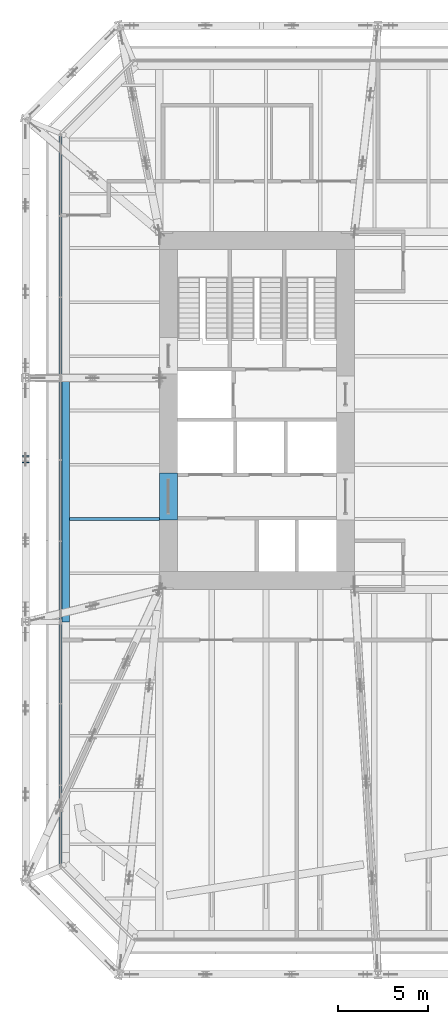
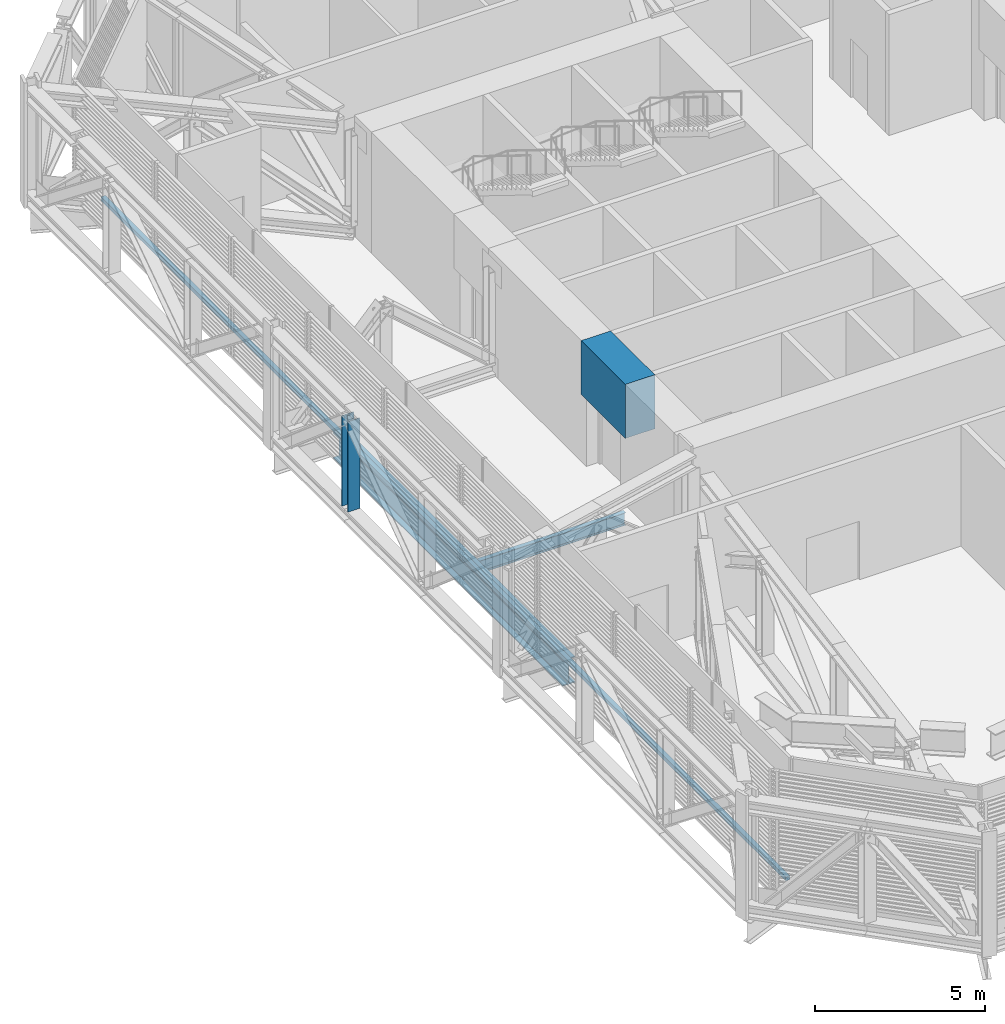
# One storey, part 7 of 31: 3 beams, 2 members, 1 element without a shape of its own.
"""IFC4 building model written with IfcOpenShell, lengths in metres."""

from ifc_helpers import new_model, si_unit, direction, frame, origin, origin_2d, place, context, subcontext, project, spatial, rectangle, i_section, extrude, material, layer, layer_set, material_profile, profile_set, type_object, element, aggregate, save


model = new_model("IFC4")

# Units and contexts
model_context = context("Model", 3, precision=1e-05, world=origin(), true_north=direction((0.0, 1.0)))
body_context = subcontext(model_context, "Body", "Model", "MODEL_VIEW")
ifc_project = project(units=[si_unit("LENGTHUNIT", "METRE"), si_unit("AREAUNIT", "SQUARE_METRE"), si_unit("VOLUMEUNIT", "CUBIC_METRE"), si_unit("PLANEANGLEUNIT", "RADIAN"), si_unit("MASSUNIT", "GRAM", prefix="KILO")], contexts=[model_context])

# Site, building, storey
site_placement = place(None, origin())
site = spatial("IfcSite", under=ifc_project, at=site_placement, CompositionType="ELEMENT")
building_placement = place(site_placement, origin())
building = spatial("IfcBuilding", under=site, at=building_placement, Name="Millrace Tower", CompositionType="ELEMENT")
storey_placement = place(building_placement, frame((0.0, 0.0, 120.39990234375)))
storey = spatial("IfcBuildingStorey", under=building, at=storey_placement, Name="L26", CompositionType="ELEMENT", Elevation=120.39990234375)

# Member
ifc_material_1 = material(Name="Steel ASTM A992 Grade 50", Category="steel")
ifc_material_profile_1 = material_profile(ifc_material_1, i_section(OverallWidth=0.398681640625, OverallDepth=0.385986328125, WebThickness=0.02099609375, FlangeThickness=0.033203125, FilletRadius=0.01513671875, at=origin_2d()))
ifc_profile_set_1 = profile_set([ifc_material_profile_1], Name="Steel ASTM A992 Grade 50")
member_type_1 = type_object("IfcMemberType", Name="Belt truss post W14x176", PredefinedType="POST", material=ifc_profile_set_1)
member_1_placement = place(storey_placement, frame((-22.300048828125, -2.699951171875, 0.498046875), z_axis=(0.0, 0.0, 1.0), x_axis=(1.0, 0.0, 0.0)))
element("IfcMember", 1, at=member_1_placement, inside=storey, type_object=member_type_1, Name="BLT-L26-R15-V01", PredefinedType="POST", context=body_context, shape_type="SweptSolid", body=[
    extrude(i_section(OverallWidth=0.398681640625, OverallDepth=0.385986328125, WebThickness=0.02099609375, FlangeThickness=0.033203125, FilletRadius=0.01513671875, at=origin_2d()), origin(), (0.0, 0.0, 1.0), 3.244140625),
])

# Curtain wall, member
ifc_material_2 = material(Name="Aluminium and glass", Category="aluminium")
ifc_layer = layer(ifc_material_2, 0.14990234375)
ifc_layer_set = layer_set([ifc_layer], Name="Aluminium and glass")
curtain_wall_type = type_object("IfcCurtainWallType", Name="CW-5 truss and plant storey louvred infill", PredefinedType="NOTDEFINED", material=ifc_layer_set)
curtain_wall_placement = place(storey_placement, origin())
curtain_wall = element("IfcCurtainWall", 2, at=curtain_wall_placement, inside=storey, type_object=curtain_wall_type, Name="Curtain wall B-F08 L26", PredefinedType="NOTDEFINED")
ifc_material_3 = material(Name="Aluminium", Category="aluminium")
ifc_material_profile_2 = material_profile(ifc_material_3, rectangle(XDim=0.14990234375, YDim=0.139892578125, at=origin_2d()))
ifc_profile_set_2 = profile_set([ifc_material_profile_2], Name="Aluminium")
member_type_2 = type_object("IfcMemberType", Name="CW-5 truss and plant storey louvred infill transom", PredefinedType="USERDEFINED", material=ifc_profile_set_2)
member_2_placement = place(storey_placement, frame((-20.375, 15.199951171875, 0.070068359375), z_axis=(0.0, -1.0, 0.0), x_axis=(1.0, 0.0, 0.0)))
member_2 = element("IfcMember", 3, at=member_2_placement, type_object=member_type_2, Name="CW5 transom B-F08.1", ObjectType="TRANSOM", PredefinedType="USERDEFINED", context=body_context, shape_type="SweptSolid", body=[
    extrude(rectangle(XDim=0.14990234375, YDim=0.139892578125, at=origin_2d()), origin(), (0.0, 0.0, 1.0), 40.300048828125),
])
aggregate(curtain_wall, [member_2])

# Beams
ifc_material_4 = material(Name="Concrete C80", Category="concrete")
ifc_material_profile_3 = material_profile(ifc_material_4, rectangle(XDim=1.0, YDim=1.93994140625, at=origin_2d()))
ifc_profile_set_3 = profile_set([ifc_material_profile_3], Name="Concrete C80")
beam_type_1 = type_object("IfcBeamType", Name="Coupling beam 1000 x 1940 Concrete C80, 2000 opening", PredefinedType="BEAM", material=ifc_profile_set_3)
beam_1_placement = place(storey_placement, frame((-14.39990234375, -6.050048828125, 3.3701171875), z_axis=(0.0, 1.0, 0.0), x_axis=(-1.0, 0.0, 0.0)))
element("IfcBeam", 4, at=beam_1_placement, inside=storey, type_object=beam_type_1, Name="Coupling beam W L26", PredefinedType="BEAM", context=body_context, shape_type="SweptSolid", body=[
    extrude(rectangle(XDim=1.0, YDim=1.93994140625, at=origin_2d()), origin(), (0.0, 0.0, 1.0), 2.60009765625),
])
ifc_material_5 = material(Name="Steel ASTM A992 Grade 50", Category="steel")
ifc_material_profile_4 = material_profile(ifc_material_5, i_section(OverallWidth=0.15234375, OverallDepth=0.449462890625, WebThickness=0.007568359375, FlangeThickness=0.0107421875, FilletRadius=0.01025390625, at=origin_2d()))
ifc_profile_set_4 = profile_set([ifc_material_profile_4], Name="Steel ASTM A992 Grade 50")
beam_type_2 = type_object("IfcBeamType", Name="Floor beam W18x35", PredefinedType="JOIST", material=ifc_profile_set_4)
beam_2_placement = place(storey_placement, frame((-19.87841796875, -6.0, -0.474609375), z_axis=(1.0, 0.0, 0.0), x_axis=(0.0, 1.0, 0.0)))
element("IfcBeam", 5, at=beam_2_placement, inside=storey, type_object=beam_type_2, Name="BM-B-L26-S1-S017", PredefinedType="JOIST", context=body_context, shape_type="SweptSolid", body=[
    extrude(i_section(OverallWidth=0.15234375, OverallDepth=0.449462890625, WebThickness=0.007568359375, FlangeThickness=0.0107421875, FilletRadius=0.01025390625, at=origin_2d()), origin(), (0.0, 0.0, 1.0), 4.978515625),
])
ifc_material_6 = material(Name="Steel ASTM A992 Grade 50", Category="steel")
ifc_material_profile_5 = material_profile(ifc_material_6, i_section(OverallWidth=0.421630859375, OverallDepth=0.937255859375, WebThickness=0.021240234375, FlangeThickness=0.03662109375, FilletRadius=0.024169921875, at=origin_2d()))
ifc_profile_set_5 = profile_set([ifc_material_profile_5], Name="Steel ASTM A992 Grade 50")
beam_type_3 = type_object("IfcBeamType", Name="Ring beam medium span W36x262", PredefinedType="SPANDREL", material=ifc_profile_set_5)
beam_3_placement = place(storey_placement, frame((-20.089111328125, -11.699951171875, -0.718505859375), z_axis=(0.0, 1.0, 0.0), x_axis=(-1.0, 0.0, 0.0)))
element("IfcBeam", 6, at=beam_3_placement, inside=storey, type_object=beam_type_3, Name="RNG-B-L26-S1-02", PredefinedType="SPANDREL", context=body_context, shape_type="SweptSolid", body=[
    extrude(i_section(OverallWidth=0.421630859375, OverallDepth=0.937255859375, WebThickness=0.021240234375, FlangeThickness=0.03662109375, FilletRadius=0.024169921875, at=origin_2d()), origin(), (0.0, 0.0, 1.0), 13.5),
])

save(model, "model.ifc")
